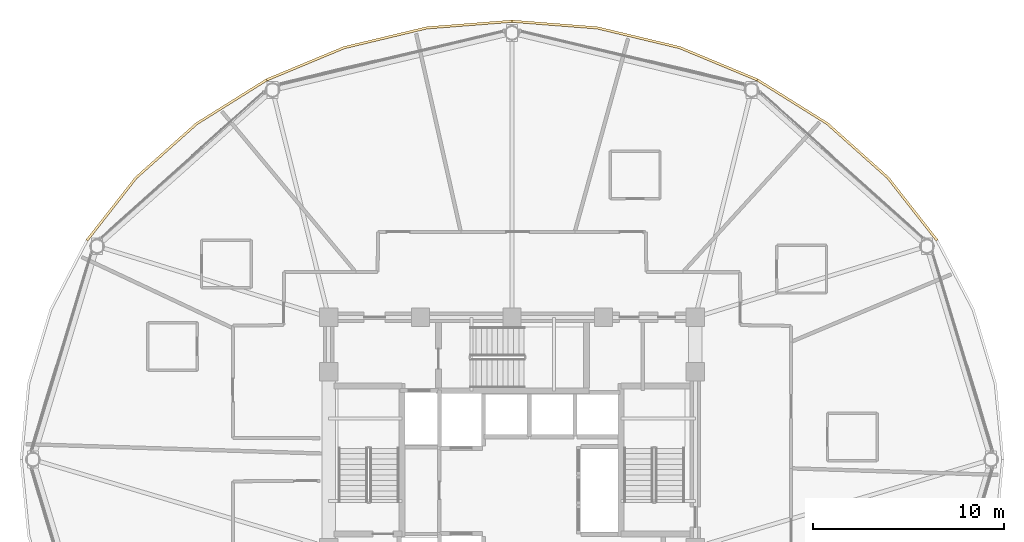
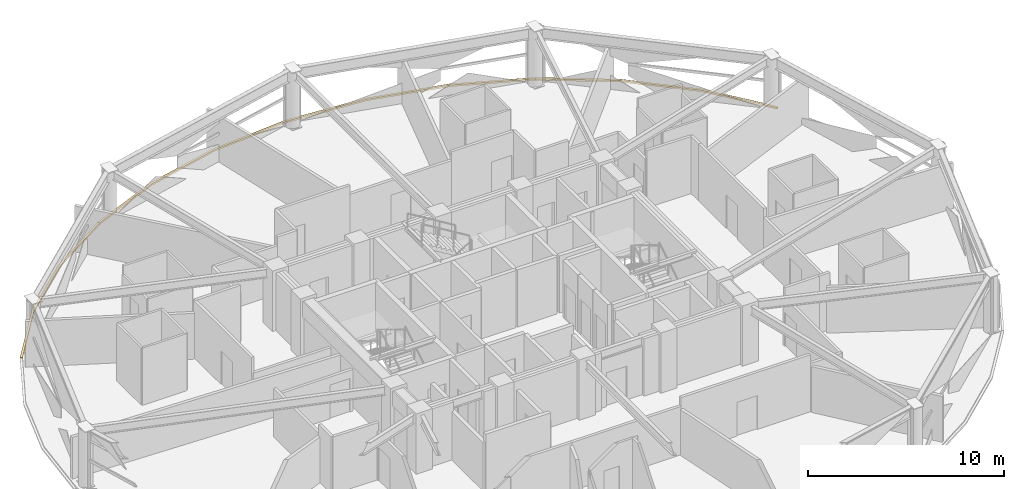
# One storey, part 30 of 30: 4 coverings.
"""IFC4 building model written with IfcOpenShell, lengths in metres."""

from ifc_helpers import new_model, si_unit, direction, frame, origin, place, context, subcontext, project, spatial, polyline, outline, extrude, material, layer, layer_set, type_object, element, save


model = new_model("IFC4")

# Units and contexts
model_context = context("Model", 3, precision=1e-05, world=origin(), true_north=direction((0.0, 1.0)))
body_context = subcontext(model_context, "Body", "Model", "MODEL_VIEW")
ifc_project = project(units=[si_unit("LENGTHUNIT", "METRE"), si_unit("AREAUNIT", "SQUARE_METRE"), si_unit("VOLUMEUNIT", "CUBIC_METRE"), si_unit("PLANEANGLEUNIT", "RADIAN"), si_unit("MASSUNIT", "GRAM", prefix="KILO")], contexts=[model_context])

# Site, building, storey
site_placement = place(None, origin())
site = spatial("IfcSite", under=ifc_project, at=site_placement, CompositionType="ELEMENT")
building_placement = place(site_placement, origin())
building = spatial("IfcBuilding", under=site, at=building_placement, Name="Vantalir Tower", CompositionType="ELEMENT")
storey_placement = place(building_placement, frame((0.0, 0.0, 130.949951171875)))
storey = spatial("IfcBuildingStorey", under=building, at=storey_placement, Name="L32", CompositionType="ELEMENT", Elevation=130.949951171875)

# Coverings
ifc_material = material(Name="Anodised champagne aluminium sill fascia", Category="aluminium")
ifc_layer = layer(ifc_material, 0.125)
ifc_layer_set = layer_set([ifc_layer], Name="Anodised champagne aluminium sill fascia")
covering_type = type_object("IfcCoveringType", Name="COV-SLAB-FASCIA-125", PredefinedType="CLADDING", material=ifc_layer_set)
covering_1_placement = place(storey_placement, frame((0.0, 0.0, -0.179931640625)))
element("IfcCovering", 1, at=covering_1_placement, inside=storey, type_object=covering_type, Name="L32 Perimeter Slab-Edge Sill Fascia 02", PredefinedType="CLADDING", context=body_context, shape_type="SweptSolid", body=[
    extrude(outline(polyline([(53.81591796875, 36.510009765625), (51.239013671875, 39.797119140625), (48.06298828125, 42.634033203125), (44.384033203125, 44.93603515625), (44.322021484375, 44.827880859375), (47.98291015625, 42.5390625), (51.14404296875, 39.717041015625), (53.70703125, 36.447021484375), (53.81591796875, 36.510009765625)])), origin(), (0.0, 0.0, 1.0), 0.10498046875),
])
covering_2_placement = place(storey_placement, frame((0.0, 0.0, -0.179931640625)))
element("IfcCovering", 2, at=covering_2_placement, inside=storey, type_object=covering_type, Name="L32 Perimeter Slab-Edge Sill Fascia 03", PredefinedType="CLADDING", context=body_context, shape_type="SweptSolid", body=[
    extrude(outline(polyline([(44.384033203125, 44.93603515625), (40.31298828125, 46.632080078125), (35.97509765625, 47.669921875), (31.5, 48.02001953125), (31.5, 47.89501953125), (35.952880859375, 47.547119140625), (40.27001953125, 46.513916015625), (44.322021484375, 44.827880859375), (44.384033203125, 44.93603515625)])), origin(), (0.0, 0.0, 1.0), 0.10498046875),
])
covering_3_placement = place(storey_placement, frame((0.0, 0.0, -0.179931640625)))
element("IfcCovering", 3, at=covering_3_placement, inside=storey, type_object=covering_type, Name="L32 Perimeter Slab-Edge Sill Fascia 04", PredefinedType="CLADDING", context=body_context, shape_type="SweptSolid", body=[
    extrude(outline(polyline([(31.5, 48.02001953125), (27.02490234375, 47.669921875), (22.68701171875, 46.632080078125), (18.615966796875, 44.93603515625), (18.678955078125, 44.827880859375), (22.72998046875, 46.513916015625), (27.047119140625, 47.547119140625), (31.5, 47.89501953125), (31.5, 48.02001953125)])), origin(), (0.0, 0.0, 1.0), 0.10498046875),
])
covering_4_placement = place(storey_placement, frame((0.0, 0.0, -0.179931640625)))
element("IfcCovering", 4, at=covering_4_placement, inside=storey, type_object=covering_type, Name="L32 Perimeter Slab-Edge Sill Fascia 05", PredefinedType="CLADDING", context=body_context, shape_type="SweptSolid", body=[
    extrude(outline(polyline([(18.615966796875, 44.93603515625), (14.93701171875, 42.634033203125), (11.760986328125, 39.797119140625), (9.18408203125, 36.510009765625), (9.29296875, 36.447021484375), (11.85595703125, 39.717041015625), (15.01708984375, 42.5390625), (18.678955078125, 44.827880859375), (18.615966796875, 44.93603515625)])), origin(), (0.0, 0.0, 1.0), 0.10498046875),
])

save(model, "model.ifc")
